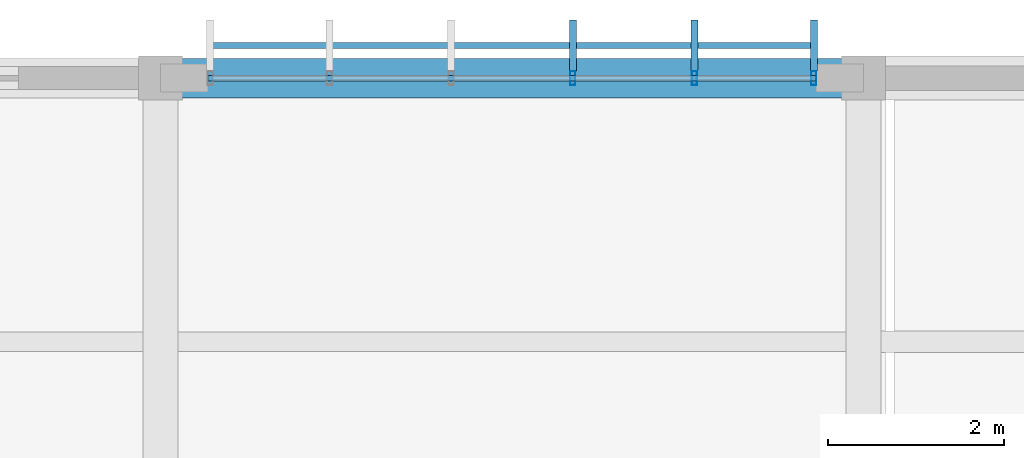
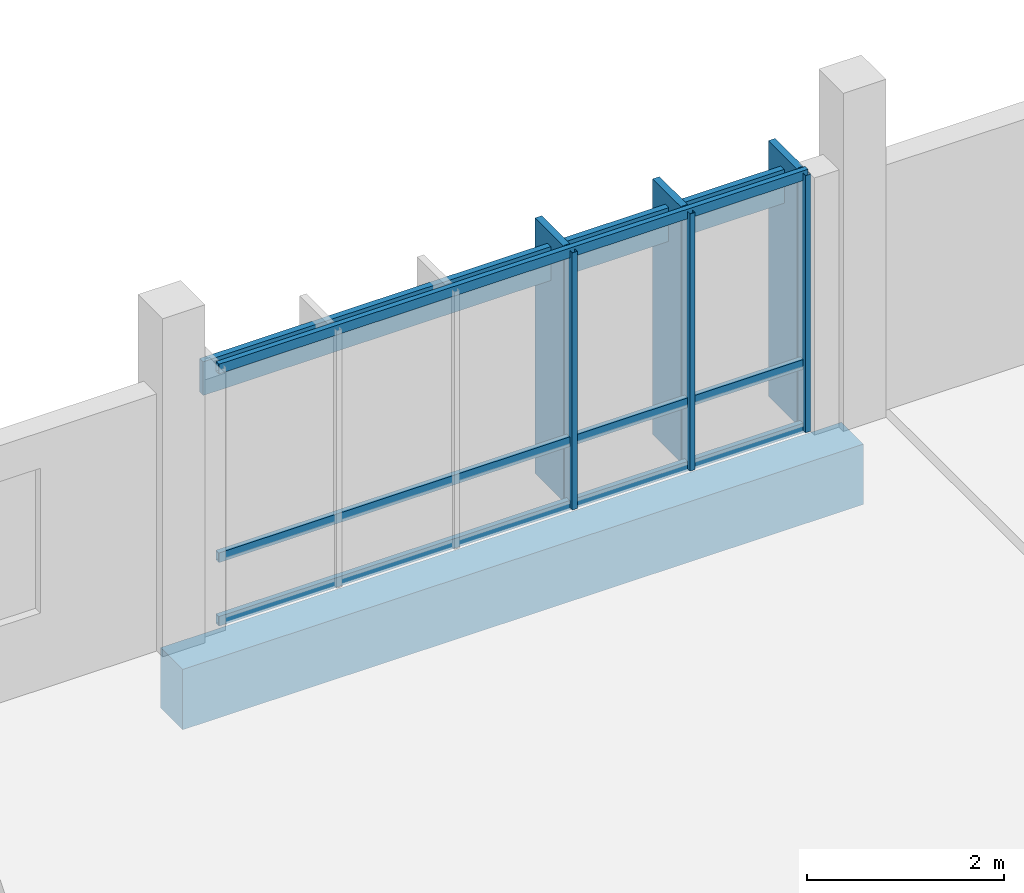
# One storey, part 67 of 107: 10 members, 1 beam, 1 element without a shape of its own.
"""IFC4 building model written with IfcOpenShell, lengths in metres."""

from ifc_helpers import new_model, si_unit, direction, frame, origin, origin_2d, place, context, subcontext, project, spatial, rectangle, hollow_rectangle, extrude, material, material_profile, profile_set, type_object, element, aggregate, save


model = new_model("IFC4")

# Units and contexts
model_context = context("Model", 3, precision=1e-05, world=origin(), true_north=direction((0.0, 1.0)))
body_context = subcontext(model_context, "Body", "Model", "MODEL_VIEW")
ifc_project = project(units=[si_unit("LENGTHUNIT", "METRE"), si_unit("AREAUNIT", "SQUARE_METRE"), si_unit("VOLUMEUNIT", "CUBIC_METRE"), si_unit("PLANEANGLEUNIT", "RADIAN"), si_unit("MASSUNIT", "GRAM", prefix="KILO")], contexts=[model_context])

# Site, building, storey
site_placement = place(None, origin())
site = spatial("IfcSite", under=ifc_project, at=site_placement, CompositionType="ELEMENT")
building_placement = place(site_placement, origin())
building = spatial("IfcBuilding", under=site, at=building_placement, Name="Chiffa Square Polytechnic", CompositionType="ELEMENT")
storey_placement = place(building_placement, frame((0.0, 0.0, 13.800048828125)))
storey = spatial("IfcBuildingStorey", under=building, at=storey_placement, Name="L03", CompositionType="ELEMENT", Elevation=13.800048828125)

# Beam
ifc_material_1 = material(Name="Concrete C35/45", Category="concrete")
ifc_material_profile_1 = material_profile(ifc_material_1, rectangle(XDim=0.449951171875, YDim=0.75, at=origin_2d()), Name="RC 450x750")
ifc_profile_set_1 = profile_set([ifc_material_profile_1], Name="Concrete C35/45")
beam_type = type_object("IfcBeamType", Name="BM-RC-450X750", PredefinedType="BEAM", material=ifc_profile_set_1)
beam_placement = place(storey_placement, frame((40.0, 130.800048828125, -0.635009765625), z_axis=(1.0, 0.0, 0.0), x_axis=(0.0, 1.0, 0.0)))
element("IfcBeam", 1, at=beam_placement, inside=storey, type_object=beam_type, Name="Primary floor girder BM-V5-L03-X-0400-1308", PredefinedType="BEAM", context=body_context, shape_type="SweptSolid", body=[
    extrude(rectangle(XDim=0.449951171875, YDim=0.75, at=origin_2d()), origin(), (0.0, 0.0, 1.0), 8.0),
])

# Curtain wall, members
ifc_material_2 = material(Name="Aluminium EN AW-6060 T66 and glulam shading", Category="wood")
curtain_wall_type = type_object("IfcCurtainWallType", Name="CW-VERT-600X380", PredefinedType="USERDEFINED", material=ifc_material_2)
curtain_wall_placement = place(storey_placement, origin())
curtain_wall = element("IfcCurtainWall", 2, at=curtain_wall_placement, inside=storey, type_object=curtain_wall_type, Name="Curtain wall CW-V5-L03-236", ObjectType="CURTAIN WALL", PredefinedType="USERDEFINED")
ifc_material_3 = material(Name="Aluminium EN AW-6060 T66", Category="aluminium")
ifc_material_profile_2 = material_profile(ifc_material_3, hollow_rectangle(XDim=0.06005859375, YDim=0.159912109375, WallThickness=0.00390625, at=origin_2d()), Name="ALU 60x160x4")
ifc_profile_set_2 = profile_set([ifc_material_profile_2], Name="Aluminium EN AW-6060 T66")
member_type_1 = type_object("IfcMemberType", Name="CWM-ALU-65X150", PredefinedType="MULLION", material=ifc_profile_set_2)
member_1_placement = place(storey_placement, frame((47.43505859375, 130.800048828125, 0.0), z_axis=(0.0, 0.0, 1.0), x_axis=(1.0, 0.0, 0.0)))
member_1 = element("IfcMember", 3, at=member_1_placement, type_object=member_type_1, Name="Curtain wall mullion CW-V5-L03-236-M00", PredefinedType="MULLION", context=body_context, shape_type="SweptSolid", body=[
    extrude(hollow_rectangle(XDim=0.06005859375, YDim=0.159912109375, WallThickness=0.00390625, at=origin_2d()), origin(), (0.0, 0.0, 1.0), 3.195068359375),
])
member_2_placement = place(storey_placement, frame((46.075927734375, 130.800048828125, 0.0), z_axis=(0.0, 0.0, 1.0), x_axis=(1.0, 0.0, 0.0)))
member_2 = element("IfcMember", 4, at=member_2_placement, type_object=member_type_1, Name="Curtain wall mullion CW-V5-L03-236-M01", PredefinedType="MULLION", context=body_context, shape_type="SweptSolid", body=[
    extrude(hollow_rectangle(XDim=0.06005859375, YDim=0.159912109375, WallThickness=0.00390625, at=origin_2d()), origin(), (0.0, 0.0, 1.0), 3.195068359375),
])
member_3_placement = place(storey_placement, frame((44.69189453125, 130.800048828125, 0.0), z_axis=(0.0, 0.0, 1.0), x_axis=(1.0, 0.0, 0.0)))
member_3 = element("IfcMember", 5, at=member_3_placement, type_object=member_type_1, Name="Curtain wall mullion CW-V5-L03-236-M02", PredefinedType="MULLION", context=body_context, shape_type="SweptSolid", body=[
    extrude(hollow_rectangle(XDim=0.06005859375, YDim=0.159912109375, WallThickness=0.00390625, at=origin_2d()), origin(), (0.0, 0.0, 1.0), 3.195068359375),
])
ifc_material_4 = material(Name="Glulam GL28h", Category="wood")
ifc_material_profile_3 = material_profile(ifc_material_4, rectangle(XDim=0.080078125, YDim=0.580078125, at=origin_2d()), Name="GL28h 80x580")
ifc_profile_set_3 = profile_set([ifc_material_profile_3], Name="Glulam GL28h")
member_type_2 = type_object("IfcMemberType", Name="CWM-GL-80X580", PredefinedType="MULLION", material=ifc_profile_set_3)
member_4_placement = place(storey_placement, frame((47.43505859375, 131.172119140625, 0.010009765625), z_axis=(0.0, 0.0, 1.0), x_axis=(-1.0, 0.0, 0.0)))
member_4 = element("IfcMember", 6, at=member_4_placement, type_object=member_type_2, Name="Exterior glulam solar fin CW-V5-L03-236-FN00", PredefinedType="MULLION", context=body_context, shape_type="SweptSolid", body=[
    extrude(rectangle(XDim=0.080078125, YDim=0.580078125, at=origin_2d()), origin(), (0.0, 0.0, 1.0), 3.175048828125),
])
member_5_placement = place(storey_placement, frame((46.075927734375, 131.172119140625, 0.010009765625), z_axis=(0.0, 0.0, 1.0), x_axis=(-1.0, 0.0, 0.0)))
member_5 = element("IfcMember", 7, at=member_5_placement, type_object=member_type_2, Name="Exterior glulam solar fin CW-V5-L03-236-FN01", PredefinedType="MULLION", context=body_context, shape_type="SweptSolid", body=[
    extrude(rectangle(XDim=0.080078125, YDim=0.580078125, at=origin_2d()), origin(), (0.0, 0.0, 1.0), 3.175048828125),
])
member_6_placement = place(storey_placement, frame((44.69189453125, 131.172119140625, 0.010009765625), z_axis=(0.0, 0.0, 1.0), x_axis=(-1.0, 0.0, 0.0)))
member_6 = element("IfcMember", 8, at=member_6_placement, type_object=member_type_2, Name="Exterior glulam solar fin CW-V5-L03-236-FN02", PredefinedType="MULLION", context=body_context, shape_type="SweptSolid", body=[
    extrude(rectangle(XDim=0.080078125, YDim=0.580078125, at=origin_2d()), origin(), (0.0, 0.0, 1.0), 3.175048828125),
])
ifc_material_profile_4 = material_profile(ifc_material_3, hollow_rectangle(XDim=0.06005859375, YDim=0.1201171875, WallThickness=0.00390625, at=origin_2d()), Name="ALU 60x120x4")
ifc_profile_set_4 = profile_set([ifc_material_profile_4], Name="Aluminium EN AW-6060 T66")
member_type_3 = type_object("IfcMemberType", Name="CWT-ALU-65X120", PredefinedType="USERDEFINED", material=ifc_profile_set_4)
member_7_placement = place(storey_placement, frame((47.4619140625, 130.800048828125, 0.030029296875), z_axis=(-1.0, 0.0, 0.0), x_axis=(0.0, -1.0, 0.0)))
member_7 = element("IfcMember", 9, at=member_7_placement, type_object=member_type_3, Name="Curtain wall transom CW-V5-L03-236-T01", ObjectType="TRANSOM", PredefinedType="USERDEFINED", context=body_context, shape_type="SweptSolid", body=[
    extrude(hollow_rectangle(XDim=0.06005859375, YDim=0.1201171875, WallThickness=0.00390625, at=origin_2d()), origin(), (0.0, 0.0, 1.0), 6.923828125),
])
member_8_placement = place(storey_placement, frame((47.4619140625, 130.800048828125, 0.820068359375), z_axis=(-1.0, 0.0, 0.0), x_axis=(0.0, -1.0, 0.0)))
member_8 = element("IfcMember", 10, at=member_8_placement, type_object=member_type_3, Name="Curtain wall transom CW-V5-L03-236-T02", ObjectType="TRANSOM", PredefinedType="USERDEFINED", context=body_context, shape_type="SweptSolid", body=[
    extrude(hollow_rectangle(XDim=0.06005859375, YDim=0.1201171875, WallThickness=0.00390625, at=origin_2d()), origin(), (0.0, 0.0, 1.0), 6.923828125),
])
member_9_placement = place(storey_placement, frame((47.4619140625, 130.800048828125, 3.1650390625), z_axis=(-1.0, 0.0, 0.0), x_axis=(0.0, -1.0, 0.0)))
member_9 = element("IfcMember", 11, at=member_9_placement, type_object=member_type_3, Name="Curtain wall transom CW-V5-L03-236-T03", ObjectType="TRANSOM", PredefinedType="USERDEFINED", context=body_context, shape_type="SweptSolid", body=[
    extrude(hollow_rectangle(XDim=0.06005859375, YDim=0.1201171875, WallThickness=0.00390625, at=origin_2d()), origin(), (0.0, 0.0, 1.0), 6.923828125),
])
ifc_material_profile_5 = material_profile(ifc_material_4, rectangle(XDim=0.070068359375, YDim=0.419921875, at=origin_2d()), Name="GL28h 70x420")
ifc_profile_set_5 = profile_set([ifc_material_profile_5], Name="Glulam GL28h")
member_type_4 = type_object("IfcMemberType", Name="CWT-GL-70X420", PredefinedType="USERDEFINED", material=ifc_profile_set_5)
member_10_placement = place(storey_placement, frame((47.43505859375, 131.172119140625, 2.81494140625), z_axis=(-1.0, 0.0, 0.0), x_axis=(0.0, -1.0, 0.0)))
member_10 = element("IfcMember", 12, at=member_10_placement, type_object=member_type_4, Name="Exterior glulam brise-soleil CW-V5-L03-236-BS01", ObjectType="TRANSOM", PredefinedType="USERDEFINED", context=body_context, shape_type="SweptSolid", body=[
    extrude(rectangle(XDim=0.070068359375, YDim=0.419921875, at=origin_2d()), origin(), (0.0, 0.0, 1.0), 6.8701171875),
])
aggregate(curtain_wall, [member_1, member_4, member_2, member_5, member_3, member_6, member_7, member_8, member_9, member_10])

save(model, "model.ifc")
